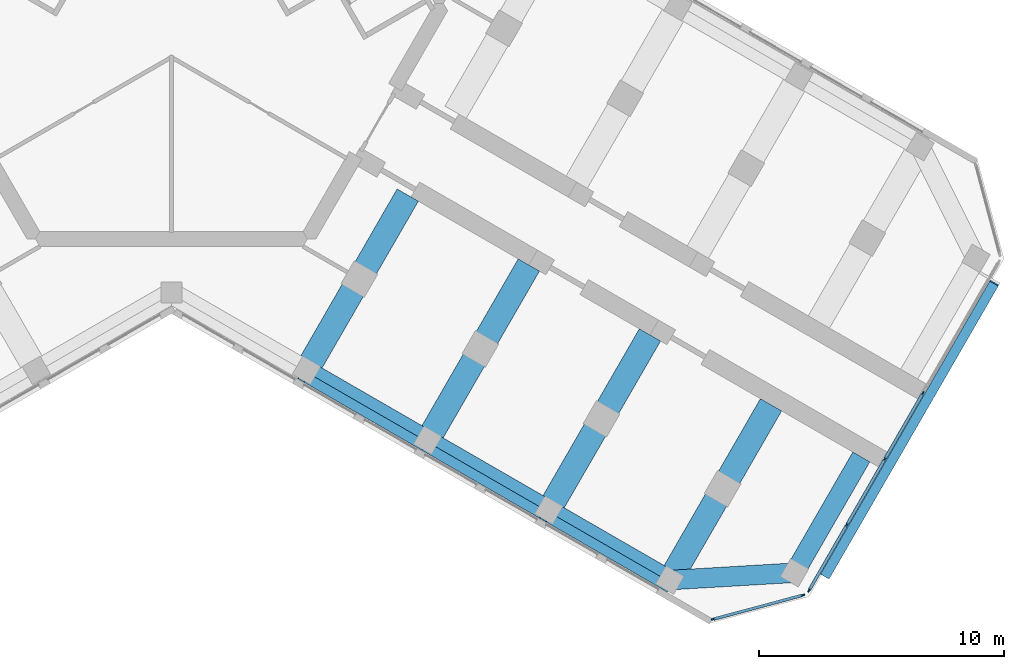
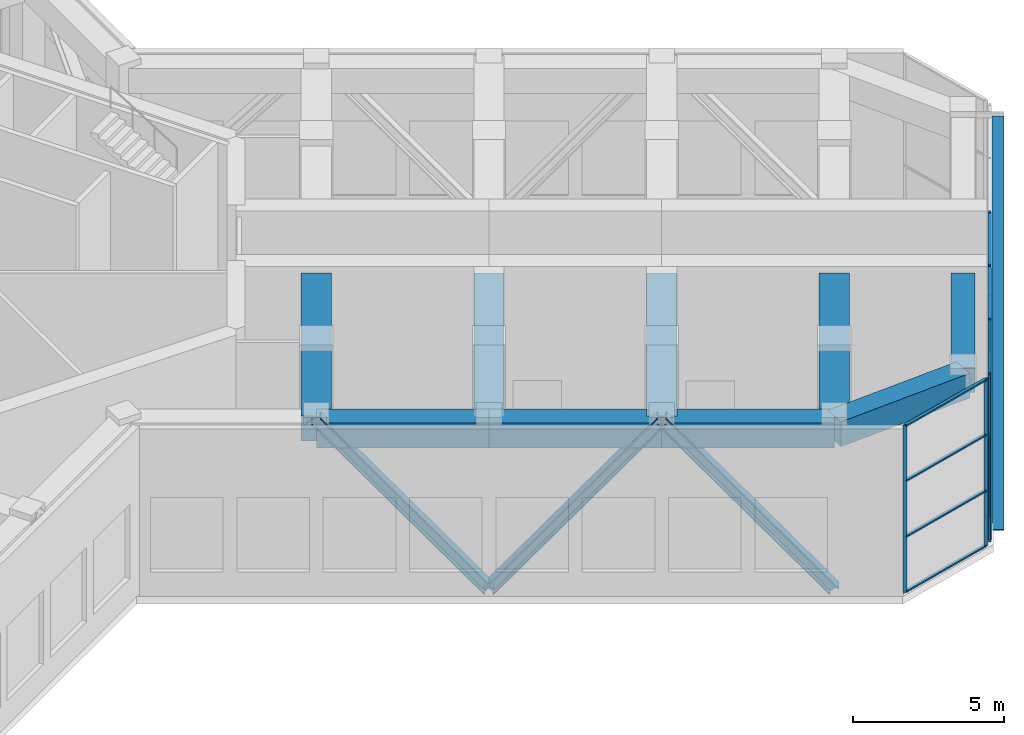
# One storey, part 4 of 12: 23 members, 9 beams, 2 elements without a shape of their own.
"""IFC4 building model written with IfcOpenShell, lengths in metres."""

from ifc_helpers import new_model, si_unit, direction, frame, origin, origin_2d, place, context, subcontext, project, spatial, rectangle, i_section, extrude, material, material_profile, profile_set, type_object, element, aggregate, save


model = new_model("IFC4")

# Units and contexts
model_context = context("Model", 3, precision=1e-05, world=origin(), true_north=direction((0.0, 1.0)))
body_context = subcontext(model_context, "Body", "Model", "MODEL_VIEW")
ifc_project = project(units=[si_unit("LENGTHUNIT", "METRE"), si_unit("AREAUNIT", "SQUARE_METRE"), si_unit("VOLUMEUNIT", "CUBIC_METRE"), si_unit("PLANEANGLEUNIT", "RADIAN"), si_unit("MASSUNIT", "GRAM", prefix="KILO")], contexts=[model_context])

# Site, building, storey
site_placement = place(None, origin())
site = spatial("IfcSite", under=ifc_project, at=site_placement, CompositionType="ELEMENT")
building_placement = place(site_placement, origin())
building = spatial("IfcBuilding", under=site, at=building_placement, Name="Kosmar Iwan School Tower", CompositionType="ELEMENT")
storey_placement = place(building_placement, frame((0.0, 0.0, 260.39990234375)))
storey = spatial("IfcBuildingStorey", under=building, at=storey_placement, Name="L66", CompositionType="ELEMENT", Elevation=260.39990234375)

# Members
ifc_material_1 = material(Name="Steel S355", Category="steel")
ifc_material_profile_1 = material_profile(ifc_material_1, i_section(OverallWidth=0.404052734375, OverallDepth=0.406982421875, WebThickness=0.027099609375, FlangeThickness=0.043701171875, FilletRadius=0.014892578125, at=origin_2d()), Name="HD 400x347")
ifc_profile_set_1 = profile_set([ifc_material_profile_1], Name="Steel S355")
member_type_1 = type_object("IfcMemberType", Name="Belt truss diagonal HD 400x347", PredefinedType="BRACE", material=ifc_profile_set_1)
member_1_placement = place(storey_placement, frame((5.374755859375, -15.190673828125, 6.8466796875), z_axis=(0.554094365009, -0.319894333189, -0.768535653213), x_axis=(0.49998570155, 0.866033658841, 0.0)))
element("IfcMember", 1, at=member_1_placement, inside=storey, type_object=member_type_1, Name="Belt truss diagonal CR2", PredefinedType="BRACE", context=body_context, shape_type="SweptSolid", body=[
    extrude(i_section(OverallWidth=0.404052734375, OverallDepth=0.406982421875, WebThickness=0.027099609375, FlangeThickness=0.043701171875, FilletRadius=0.014892578125, at=origin_2d()), origin(), (0.0, 0.0, 1.0), 8.90869140625),
])
member_2_placement = place(storey_placement, frame((10.31103515625, -18.04052734375, 0.0), z_axis=(0.554108497746, -0.319914075306, 0.768517245835), x_axis=(0.499999279071, 0.866025820012, 0.0)))
element("IfcMember", 2, at=member_2_placement, inside=storey, type_object=member_type_1, Name="Belt truss diagonal CR3", PredefinedType="BRACE", context=body_context, shape_type="SweptSolid", body=[
    extrude(i_section(OverallWidth=0.404052734375, OverallDepth=0.406982421875, WebThickness=0.027099609375, FlangeThickness=0.043701171875, FilletRadius=0.014892578125, at=origin_2d()), origin(), (0.0, 0.0, 1.0), 8.908935546875),
])
member_3_placement = place(storey_placement, frame((15.24755859375, -20.890625, 6.8466796875), z_axis=(0.554094365009, -0.319894333189, -0.768535653213), x_axis=(0.49998570155, 0.866033658841, 0.0)))
element("IfcMember", 3, at=member_3_placement, inside=storey, type_object=member_type_1, Name="Belt truss diagonal CR4", PredefinedType="BRACE", context=body_context, shape_type="SweptSolid", body=[
    extrude(i_section(OverallWidth=0.404052734375, OverallDepth=0.406982421875, WebThickness=0.027099609375, FlangeThickness=0.043701171875, FilletRadius=0.014892578125, at=origin_2d()), origin(), (0.0, 0.0, 1.0), 8.90869140625),
])

# Beams
ifc_material_2 = material(Name="Concrete C50/60", Category="concrete")
ifc_material_profile_2 = material_profile(ifc_material_2, rectangle(XDim=0.800048828125, YDim=1.0, at=origin_2d()), Name="RC 800x1000 + HD 400x634")
ifc_profile_set_2 = profile_set([ifc_material_profile_2], Name="Concrete C50/60")
beam_type_1 = type_object("IfcBeamType", Name="Composite edge beam 800x1000 HD 400x634", PredefinedType="BEAM", material=ifc_profile_set_2)
beam_1_placement = place(storey_placement, frame((5.5087890625, -14.95849609375, 6.25), z_axis=(0.866033658841, -0.49998570155, 0.0), x_axis=(0.49998570155, 0.866033658841, 0.0)))
element("IfcBeam", 4, at=beam_1_placement, inside=storey, type_object=beam_type_1, Name="Edge beam CR2", PredefinedType="BEAM", context=body_context, shape_type="SweptSolid", body=[
    extrude(rectangle(XDim=0.800048828125, YDim=1.0, at=origin_2d()), origin(), (0.0, 0.0, 1.0), 5.699951171875),
])
beam_2_placement = place(storey_placement, frame((10.445068359375, -17.808349609375, 6.25), z_axis=(0.866025820012, -0.499999279071, 0.0), x_axis=(0.499999279071, 0.866025820012, 0.0)))
element("IfcBeam", 5, at=beam_2_placement, inside=storey, type_object=beam_type_1, Name="Edge beam CR3", PredefinedType="BEAM", context=body_context, shape_type="SweptSolid", body=[
    extrude(rectangle(XDim=0.800048828125, YDim=1.0, at=origin_2d()), origin(), (0.0, 0.0, 1.0), 5.7001953125),
])
beam_3_placement = place(storey_placement, frame((15.381591796875, -20.658447265625, 6.25), z_axis=(0.866015111908, -0.50001782563, 0.0), x_axis=(0.50001782563, 0.866015111908, 0.0)))
element("IfcBeam", 6, at=beam_3_placement, inside=storey, type_object=beam_type_1, Name="Edge beam CR4", PredefinedType="BEAM", context=body_context, shape_type="SweptSolid", body=[
    extrude(rectangle(XDim=0.800048828125, YDim=1.0, at=origin_2d()), origin(), (0.0, 0.0, 1.0), 5.699951171875),
])
ifc_material_3 = material(Name="Concrete C50/60", Category="concrete")
ifc_material_profile_3 = material_profile(ifc_material_3, rectangle(XDim=1.0, YDim=1.199951171875, at=origin_2d()), Name="RC 1000x1200 + HD 400x634")
ifc_profile_set_3 = profile_set([ifc_material_profile_3], Name="Concrete C50/60")
beam_type_2 = type_object("IfcBeamType", Name="Composite transfer beam 1000x1200 HD 400x634", PredefinedType="BEAM", material=ifc_profile_set_3)
beam_4_placement = place(storey_placement, frame((15.381591796875, -20.658447265625, 6.150146484375), z_axis=(0.499996545922, 0.866027397988, 0.0), x_axis=(-0.866027397988, 0.499996545922, 0.0)))
element("IfcBeam", 7, at=beam_4_placement, inside=storey, type_object=beam_type_2, Name="Transfer beam CR3", PredefinedType="BEAM", context=body_context, shape_type="SweptSolid", body=[
    extrude(rectangle(XDim=1.0, YDim=1.199951171875, at=origin_2d()), origin(), (0.0, 0.0, 1.0), 8.25),
])
ifc_material_4 = material(Name="Concrete C50/60", Category="concrete")
ifc_material_profile_4 = material_profile(ifc_material_4, rectangle(XDim=1.0, YDim=1.0, at=origin_2d()), Name="RC 1000x1000 + HD 400x347")
ifc_profile_set_4 = profile_set([ifc_material_profile_4], Name="Concrete C50/60")
beam_type_3 = type_object("IfcBeamType", Name="Composite transverse beam 1000x1000 HD 400x347", PredefinedType="BEAM", material=ifc_profile_set_4)
beam_5_placement = place(storey_placement, frame((5.5087890625, -14.95849609375, 6.25), z_axis=(0.499996545922, 0.866027397988, 0.0), x_axis=(-0.866027397988, 0.499996545922, 0.0)))
element("IfcBeam", 8, at=beam_5_placement, inside=storey, type_object=beam_type_3, Name="Transverse beam CR1", PredefinedType="BEAM", context=body_context, shape_type="SweptSolid", body=[
    extrude(rectangle(XDim=1.0, YDim=1.0, at=origin_2d()), origin(), (0.0, 0.0, 1.0), 8.25),
])
beam_6_placement = place(storey_placement, frame((10.445068359375, -17.808349609375, 6.25), z_axis=(0.500009360108, 0.866019999656, 0.0), x_axis=(-0.866019999656, 0.500009360108, 0.0)))
element("IfcBeam", 9, at=beam_6_placement, inside=storey, type_object=beam_type_3, Name="Transverse beam CR2", PredefinedType="BEAM", context=body_context, shape_type="SweptSolid", body=[
    extrude(rectangle(XDim=1.0, YDim=1.0, at=origin_2d()), origin(), (0.0, 0.0, 1.0), 8.249755859375),
])
beam_7_placement = place(storey_placement, frame((20.31787109375, -23.508544921875, 6.25), z_axis=(0.499996545922, 0.866027397988, 0.0), x_axis=(-0.866027397988, 0.499996545922, 0.0)))
element("IfcBeam", 10, at=beam_7_placement, inside=storey, type_object=beam_type_3, Name="Transverse beam CR4", PredefinedType="BEAM", context=body_context, shape_type="SweptSolid", body=[
    extrude(rectangle(XDim=1.0, YDim=1.0, at=origin_2d()), origin(), (0.0, 0.0, 1.0), 8.25),
])

# Member
ifc_material_5 = material(Name="Black anodised aluminium", Category="aluminium")
ifc_material_profile_5 = material_profile(ifc_material_5, rectangle(XDim=0.10009765625, YDim=0.39990234375, at=origin_2d()), Name="FIN 100x400")
ifc_profile_set_5 = profile_set([ifc_material_profile_5], Name="Black anodised aluminium")
member_type_2 = type_object("IfcMemberType", Name="Diagonal fin 100x400", PredefinedType="USERDEFINED", material=ifc_profile_set_5)
member_4_placement = place(storey_placement, frame((26.645263671875, -23.34912109375, -0.14990234375), z_axis=(0.445884805648, 0.772309410313, 0.452465374183), x_axis=(-0.226229551412, -0.391848318744, 0.891781971765)))
element("IfcMember", 11, at=member_4_placement, inside=storey, type_object=member_type_2, Name="Diagonal fin L66-F01", ObjectType="FIN", PredefinedType="USERDEFINED", context=body_context, shape_type="SweptSolid", body=[
    extrude(rectangle(XDim=0.10009765625, YDim=0.39990234375, at=origin_2d()), origin(), (0.0, 0.0, 1.0), 15.470703125),
])

# Curtain wall, members
ifc_material_6 = material(Name="Dark glass in black aluminium frame", Category="aluminium")
curtain_wall_type_1 = type_object("IfcCurtainWallType", Name="Chamfer curtain wall dark glass", PredefinedType="USERDEFINED", material=ifc_material_6)
curtain_wall_1_placement = place(storey_placement, origin())
curtain_wall_1 = element("IfcCurtainWall", 12, at=curtain_wall_1_placement, inside=storey, type_object=curtain_wall_type_1, Name="Curtain wall L66-F00", ObjectType="FACETED CURTAIN WALL", PredefinedType="USERDEFINED")
ifc_material_7 = material(Name="Black anodised aluminium", Category="aluminium")
ifc_material_profile_6 = material_profile(ifc_material_7, rectangle(XDim=0.06005859375, YDim=0.159912109375, at=origin_2d()), Name="MULLION 60x160")
ifc_profile_set_6 = profile_set([ifc_material_profile_6], Name="Black anodised aluminium")
member_type_3 = type_object("IfcMemberType", Name="Mullion 60x160", PredefinedType="MULLION", material=ifc_profile_set_6)
member_5_placement = place(storey_placement, frame((22.0830078125, -25.102294921875, 0.0), z_axis=(0.0, 0.0, 1.0), x_axis=(-0.258818861462, 0.965925875495, 0.0)))
member_5 = element("IfcMember", 13, at=member_5_placement, type_object=member_type_3, Name="CW2 mullion 1", PredefinedType="MULLION", context=body_context, shape_type="SweptSolid", body=[
    extrude(rectangle(XDim=0.06005859375, YDim=0.159912109375, at=origin_2d()), origin(), (0.0, 0.0, 1.0), 6.75),
])
member_6_placement = place(storey_placement, frame((25.733154296875, -24.124267578125, 0.0), z_axis=(0.0, 0.0, 1.0), x_axis=(-0.258818861462, 0.965925875495, 0.0)))
member_6 = element("IfcMember", 14, at=member_6_placement, type_object=member_type_3, Name="CW2 mullion 2", PredefinedType="MULLION", context=body_context, shape_type="SweptSolid", body=[
    extrude(rectangle(XDim=0.06005859375, YDim=0.159912109375, at=origin_2d()), origin(), (0.0, 0.0, 1.0), 6.75),
])

ifc_material_8 = material(Name="Black aluminium louvres and glass", Category="aluminium")
curtain_wall_type_2 = type_object("IfcCurtainWallType", Name="Plant floor louvred curtain wall", PredefinedType="USERDEFINED", material=ifc_material_8)
curtain_wall_2_placement = place(storey_placement, origin())
curtain_wall_2 = element("IfcCurtainWall", 15, at=curtain_wall_2_placement, inside=storey, type_object=curtain_wall_type_2, Name="Curtain wall L66-F01", ObjectType="LOUVRED CURTAIN WALL", PredefinedType="USERDEFINED")
member_7_placement = place(storey_placement, frame((25.9970703125, -23.921630859375, 0.0), z_axis=(0.0, 0.0, 1.0), x_axis=(-0.866025405329, 0.499999997325, 0.0)))
member_7 = element("IfcMember", 16, at=member_7_placement, type_object=member_type_3, Name="CW4 mullion 1", PredefinedType="MULLION", context=body_context, shape_type="SweptSolid", body=[
    extrude(rectangle(XDim=0.06005859375, YDim=0.159912109375, at=origin_2d()), origin(), (0.0, 0.0, 1.0), 6.75),
])
member_8_placement = place(storey_placement, frame((27.53173828125, -21.263671875, 0.0), z_axis=(0.0, 0.0, 1.0), x_axis=(-0.866025405329, 0.499999997325, 0.0)))
member_8 = element("IfcMember", 17, at=member_8_placement, type_object=member_type_3, Name="CW4 mullion 2", PredefinedType="MULLION", context=body_context, shape_type="SweptSolid", body=[
    extrude(rectangle(XDim=0.06005859375, YDim=0.159912109375, at=origin_2d()), origin(), (0.0, 0.0, 1.0), 6.75),
])
member_9_placement = place(storey_placement, frame((29.081298828125, -18.57958984375, 0.0), z_axis=(0.0, 0.0, 1.0), x_axis=(-0.866025405329, 0.499999997325, 0.0)))
member_9 = element("IfcMember", 18, at=member_9_placement, type_object=member_type_3, Name="CW4 mullion 3", PredefinedType="MULLION", context=body_context, shape_type="SweptSolid", body=[
    extrude(rectangle(XDim=0.06005859375, YDim=0.159912109375, at=origin_2d()), origin(), (0.0, 0.0, 1.0), 6.75),
])
member_10_placement = place(storey_placement, frame((30.631103515625, -15.8955078125, 0.0), z_axis=(0.0, 0.0, 1.0), x_axis=(-0.866025405329, 0.499999997325, 0.0)))
member_10 = element("IfcMember", 19, at=member_10_placement, type_object=member_type_3, Name="CW4 mullion 4", PredefinedType="MULLION", context=body_context, shape_type="SweptSolid", body=[
    extrude(rectangle(XDim=0.06005859375, YDim=0.159912109375, at=origin_2d()), origin(), (0.0, 0.0, 1.0), 6.75),
])

# Beams
ifc_material_9 = material(Name="Concrete C50/60", Category="concrete")
ifc_material_profile_7 = material_profile(ifc_material_9, rectangle(XDim=0.800048828125, YDim=1.0, at=origin_2d()), Name="RC 800x1000")
ifc_profile_set_7 = profile_set([ifc_material_profile_7], Name="Concrete C50/60")
beam_type_4 = type_object("IfcBeamType", Name="RC tip beam 800x1000", PredefinedType="BEAM", material=ifc_profile_set_7)
beam_8_placement = place(storey_placement, frame((20.31787109375, -23.508544921875, 6.25), z_axis=(0.998260616478, 0.058955420358, 0.0), x_axis=(-0.058955420358, 0.998260616478, 0.0)))
element("IfcBeam", 20, at=beam_8_placement, inside=storey, type_object=beam_type_4, Name="Tip beam CR", PredefinedType="BEAM", context=body_context, shape_type="SweptSolid", body=[
    extrude(rectangle(XDim=0.800048828125, YDim=1.0, at=origin_2d()), origin(), (0.0, 0.0, 1.0), 5.08935546875),
])
beam_9_placement = place(storey_placement, frame((25.3984375, -23.20849609375, 6.25), z_axis=(0.500022328685, 0.866012511928, 0.0), x_axis=(-0.866012511928, 0.500022328685, 0.0)))
element("IfcBeam", 21, at=beam_9_placement, inside=storey, type_object=beam_type_4, Name="Tip beam CR to corridor wall", PredefinedType="BEAM", context=body_context, shape_type="SweptSolid", body=[
    extrude(rectangle(XDim=0.800048828125, YDim=1.0, at=origin_2d()), origin(), (0.0, 0.0, 1.0), 5.449951171875),
])

# Member
ifc_material_10 = material(Name="Black anodised aluminium", Category="aluminium")
ifc_material_profile_8 = material_profile(ifc_material_10, rectangle(XDim=0.1201171875, YDim=0.06005859375, at=origin_2d()), Name="TRANSOM 60x120")
ifc_profile_set_8 = profile_set([ifc_material_profile_8], Name="Black anodised aluminium")
member_type_4 = type_object("IfcMemberType", Name="Transom 60x120", PredefinedType="USERDEFINED", material=ifc_profile_set_8)
member_11_placement = place(storey_placement, frame((22.11181640625, -25.094482421875, 0.030029296875), z_axis=(0.965923731726, 0.258826861991, 0.0), x_axis=(-0.258826861991, 0.965923731726, 0.0)))
member_11 = element("IfcMember", 22, at=member_11_placement, type_object=member_type_4, Name="CW2 transom 1.1", ObjectType="TRANSOM", PredefinedType="USERDEFINED", context=body_context, shape_type="SweptSolid", body=[
    extrude(rectangle(XDim=0.1201171875, YDim=0.06005859375, at=origin_2d()), origin(), (0.0, 0.0, 1.0), 3.71923828125),
])

member_12_placement = place(storey_placement, frame((22.11181640625, -25.094482421875, 2.25), z_axis=(0.965923731726, 0.258826861991, 0.0), x_axis=(-0.258826861991, 0.965923731726, 0.0)))
member_12 = element("IfcMember", 23, at=member_12_placement, type_object=member_type_4, Name="CW2 transom 1.2", ObjectType="TRANSOM", PredefinedType="USERDEFINED", context=body_context, shape_type="SweptSolid", body=[
    extrude(rectangle(XDim=0.1201171875, YDim=0.06005859375, at=origin_2d()), origin(), (0.0, 0.0, 1.0), 3.71923828125),
])

member_13_placement = place(storey_placement, frame((22.11181640625, -25.094482421875, 4.5), z_axis=(0.965923731726, 0.258826861991, 0.0), x_axis=(-0.258826861991, 0.965923731726, 0.0)))
member_13 = element("IfcMember", 24, at=member_13_placement, type_object=member_type_4, Name="CW2 transom 1.3", ObjectType="TRANSOM", PredefinedType="USERDEFINED", context=body_context, shape_type="SweptSolid", body=[
    extrude(rectangle(XDim=0.1201171875, YDim=0.06005859375, at=origin_2d()), origin(), (0.0, 0.0, 1.0), 3.71923828125),
])

member_14_placement = place(storey_placement, frame((22.11181640625, -25.094482421875, 6.72021484375), z_axis=(0.965923731726, 0.258826861991, 0.0), x_axis=(-0.258826861991, 0.965923731726, 0.0)))
member_14 = element("IfcMember", 25, at=member_14_placement, type_object=member_type_4, Name="CW2 transom 1.4", ObjectType="TRANSOM", PredefinedType="USERDEFINED", context=body_context, shape_type="SweptSolid", body=[
    extrude(rectangle(XDim=0.1201171875, YDim=0.06005859375, at=origin_2d()), origin(), (0.0, 0.0, 1.0), 3.71923828125),
])

aggregate(curtain_wall_1, [member_5, member_6, member_11, member_12, member_13, member_14])

member_15_placement = place(storey_placement, frame((26.01220703125, -23.895751953125, 0.030029296875), z_axis=(0.499986971506, 0.866032925658, 0.0), x_axis=(-0.866032925658, 0.499986971506, 0.0)))
member_15 = element("IfcMember", 26, at=member_15_placement, type_object=member_type_4, Name="CW4 transom 1.1", ObjectType="TRANSOM", PredefinedType="USERDEFINED", context=body_context, shape_type="SweptSolid", body=[
    extrude(rectangle(XDim=0.1201171875, YDim=0.06005859375, at=origin_2d()), origin(), (0.0, 0.0, 1.0), 3.00927734375),
])

member_16_placement = place(storey_placement, frame((26.01220703125, -23.895751953125, 3.375), z_axis=(0.499986971506, 0.866032925658, 0.0), x_axis=(-0.866032925658, 0.499986971506, 0.0)))
member_16 = element("IfcMember", 27, at=member_16_placement, type_object=member_type_4, Name="CW4 transom 1.2", ObjectType="TRANSOM", PredefinedType="USERDEFINED", context=body_context, shape_type="SweptSolid", body=[
    extrude(rectangle(XDim=0.1201171875, YDim=0.06005859375, at=origin_2d()), origin(), (0.0, 0.0, 1.0), 3.00927734375),
])

member_17_placement = place(storey_placement, frame((26.01220703125, -23.895751953125, 6.72021484375), z_axis=(0.499986971506, 0.866032925658, 0.0), x_axis=(-0.866032925658, 0.499986971506, 0.0)))
member_17 = element("IfcMember", 28, at=member_17_placement, type_object=member_type_4, Name="CW4 transom 1.3", ObjectType="TRANSOM", PredefinedType="USERDEFINED", context=body_context, shape_type="SweptSolid", body=[
    extrude(rectangle(XDim=0.1201171875, YDim=0.06005859375, at=origin_2d()), origin(), (0.0, 0.0, 1.0), 3.00927734375),
])

member_18_placement = place(storey_placement, frame((27.546875, -21.237548828125, 0.030029296875), z_axis=(0.499975102327, 0.866039777986, 0.0), x_axis=(-0.866039777986, 0.499975102327, 0.0)))
member_18 = element("IfcMember", 29, at=member_18_placement, type_object=member_type_4, Name="CW4 transom 2.1", ObjectType="TRANSOM", PredefinedType="USERDEFINED", context=body_context, shape_type="SweptSolid", body=[
    extrude(rectangle(XDim=0.1201171875, YDim=0.06005859375, at=origin_2d()), origin(), (0.0, 0.0, 1.0), 3.039306640625),
])

member_19_placement = place(storey_placement, frame((27.546875, -21.237548828125, 3.375), z_axis=(0.499975102327, 0.866039777986, 0.0), x_axis=(-0.866039777986, 0.499975102327, 0.0)))
member_19 = element("IfcMember", 30, at=member_19_placement, type_object=member_type_4, Name="CW4 transom 2.2", ObjectType="TRANSOM", PredefinedType="USERDEFINED", context=body_context, shape_type="SweptSolid", body=[
    extrude(rectangle(XDim=0.1201171875, YDim=0.06005859375, at=origin_2d()), origin(), (0.0, 0.0, 1.0), 3.039306640625),
])

member_20_placement = place(storey_placement, frame((27.546875, -21.237548828125, 6.72021484375), z_axis=(0.499975102327, 0.866039777986, 0.0), x_axis=(-0.866039777986, 0.499975102327, 0.0)))
member_20 = element("IfcMember", 31, at=member_20_placement, type_object=member_type_4, Name="CW4 transom 2.3", ObjectType="TRANSOM", PredefinedType="USERDEFINED", context=body_context, shape_type="SweptSolid", body=[
    extrude(rectangle(XDim=0.1201171875, YDim=0.06005859375, at=origin_2d()), origin(), (0.0, 0.0, 1.0), 3.039306640625),
])

member_21_placement = place(storey_placement, frame((29.096435546875, -18.553466796875, 0.030029296875), z_axis=(0.499975102327, 0.866039777986, 0.0), x_axis=(-0.866039777986, 0.499975102327, 0.0)))
member_21 = element("IfcMember", 32, at=member_21_placement, type_object=member_type_4, Name="CW4 transom 3.1", ObjectType="TRANSOM", PredefinedType="USERDEFINED", context=body_context, shape_type="SweptSolid", body=[
    extrude(rectangle(XDim=0.1201171875, YDim=0.06005859375, at=origin_2d()), origin(), (0.0, 0.0, 1.0), 3.039306640625),
])

member_22_placement = place(storey_placement, frame((29.096435546875, -18.553466796875, 3.375), z_axis=(0.499975102327, 0.866039777986, 0.0), x_axis=(-0.866039777986, 0.499975102327, 0.0)))
member_22 = element("IfcMember", 33, at=member_22_placement, type_object=member_type_4, Name="CW4 transom 3.2", ObjectType="TRANSOM", PredefinedType="USERDEFINED", context=body_context, shape_type="SweptSolid", body=[
    extrude(rectangle(XDim=0.1201171875, YDim=0.06005859375, at=origin_2d()), origin(), (0.0, 0.0, 1.0), 3.039306640625),
])

member_23_placement = place(storey_placement, frame((29.096435546875, -18.553466796875, 6.72021484375), z_axis=(0.499975102327, 0.866039777986, 0.0), x_axis=(-0.866039777986, 0.499975102327, 0.0)))
member_23 = element("IfcMember", 34, at=member_23_placement, type_object=member_type_4, Name="CW4 transom 3.3", ObjectType="TRANSOM", PredefinedType="USERDEFINED", context=body_context, shape_type="SweptSolid", body=[
    extrude(rectangle(XDim=0.1201171875, YDim=0.06005859375, at=origin_2d()), origin(), (0.0, 0.0, 1.0), 3.039306640625),
])

aggregate(curtain_wall_2, [member_7, member_8, member_9, member_10, member_15, member_16, member_17, member_18, member_19, member_20, member_21, member_22, member_23])

save(model, "model.ifc")
